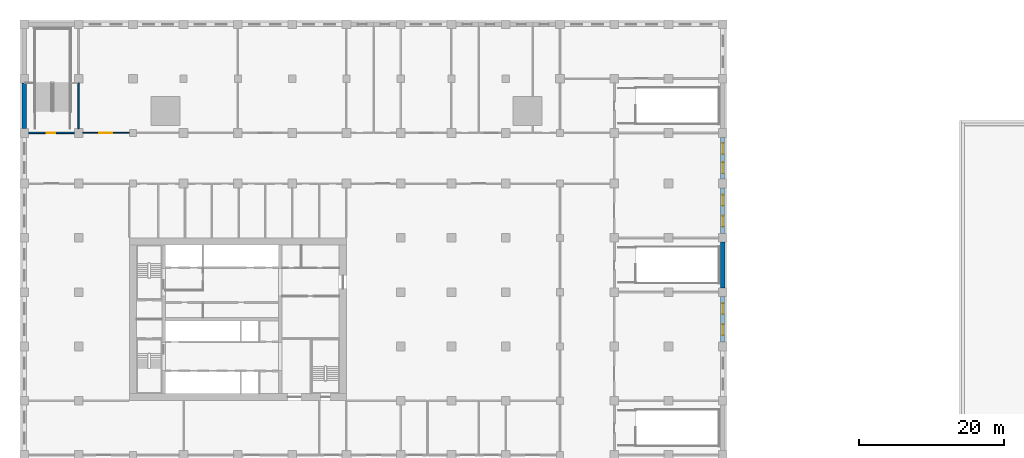
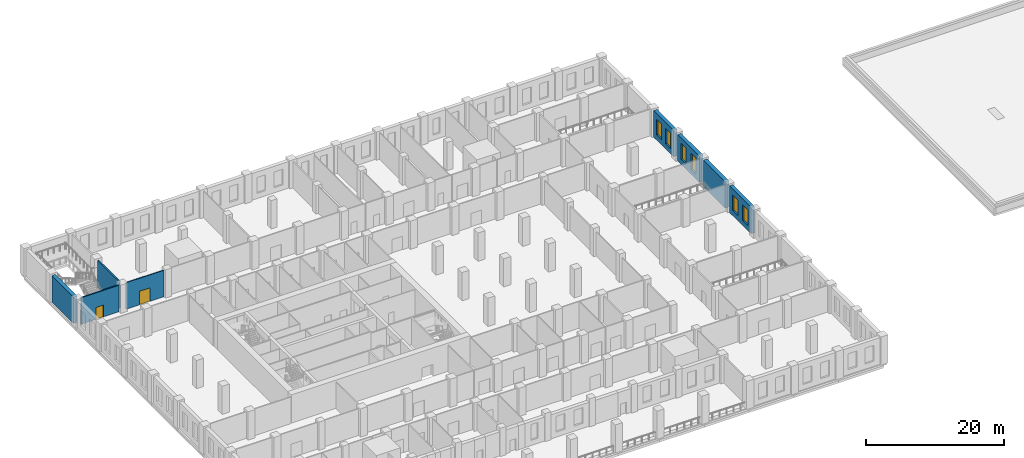
# One storey, part 9 of 22: 8 walls, 6 windows, 2 doors, 8 openings.
"""IFC4 building model written with IfcOpenShell, lengths in metres."""

from ifc_helpers import new_model, si_unit, direction, frame, frame_2d, origin, place, context, subcontext, project, spatial, rectangle, extrude, material, layer, layer_set, type_object, element, fill, save


model = new_model("IFC4")

# Units and contexts
model_context = context("Model", 3, precision=1e-05, world=origin(), true_north=direction((0.0, 1.0)))
body_context = subcontext(model_context, "Body", "Model", "MODEL_VIEW")
ifc_project = project(units=[si_unit("LENGTHUNIT", "METRE"), si_unit("AREAUNIT", "SQUARE_METRE"), si_unit("VOLUMEUNIT", "CUBIC_METRE"), si_unit("PLANEANGLEUNIT", "RADIAN"), si_unit("MASSUNIT", "GRAM", prefix="KILO")], contexts=[model_context])

# Site, building, storey
site_placement = place(None, origin())
site = spatial("IfcSite", under=ifc_project, at=site_placement, CompositionType="ELEMENT")
building_placement = place(site_placement, origin())
building = spatial("IfcBuilding", under=site, at=building_placement, Name="Tamorin Gate", CompositionType="ELEMENT")
storey_placement = place(building_placement, frame((0.0, 0.0, 29.0)))
storey = spatial("IfcBuildingStorey", under=building, at=storey_placement, Name="L05", CompositionType="ELEMENT", Elevation=29.0)

# Wall, opening, door
ifc_material_1 = material(Name="Concrete masonry C20/25", Category="masonry")
ifc_layer_1 = layer(ifc_material_1, 0.14990234375)
ifc_layer_set_1 = layer_set([ifc_layer_1], Name="Partition 150")
wall_type_1 = type_object("IfcWallType", Name="Partition 150", PredefinedType="PARTITIONING", material=ifc_layer_set_1)
wall_1_placement = place(storey_placement, frame((30.0, 97.0, 0.0), z_axis=(0.0, 0.0, 1.0), x_axis=(-1.0, 0.0, 0.0)))
wall_1 = element("IfcWall", 1, at=wall_1_placement, inside=storey, type_object=wall_type_1, Name="Partition 150 L05", PredefinedType="PARTITIONING", context=body_context, shape_type="SweptSolid", body=[
    extrude(rectangle(XDim=6.39990234375, YDim=0.14990234375, at=frame_2d((3.199951171875, 0.0))), origin(), (0.0, 0.0, 1.0), 4.699951171875),
])
opening_1_placement = place(wall_1_placement, frame((2.35009765625, 0.0, 0.0)))
opening_1 = element("IfcOpeningElement", 2, at=opening_1_placement, cuts=wall_1, Name="Opening DP3", PredefinedType="OPENING", context=body_context, shape_type="SweptSolid", body=[
    extrude(rectangle(XDim=1.800048828125, YDim=2.39990234375, at=frame_2d((0.89990234375, 1.199951171875))), frame((0.0, 0.0849609375, 0.0), z_axis=(0.0, -1.0, 0.0), x_axis=(1.0, 0.0, 0.0)), (0.0, 0.0, 1.0), 0.169921875),
])
ifc_material_2 = material(Name="Steel and glass", Category="steel")
door_type_1 = type_object("IfcDoorType", Name="Door pair 1800", OperationType="DOUBLE_DOOR_SINGLE_SWING", PredefinedType="DOOR", material=ifc_material_2)
door_1_placement = place(opening_1_placement, origin())
door_1 = element("IfcDoor", 3, at=door_1_placement, inside=storey, type_object=door_type_1, Name="Door pair 1800 L05", OperationType="SINGLE_SWING_LEFT", OverallHeight=2.39990234375, OverallWidth=1.800048828125, PredefinedType="DOOR", context=body_context, shape_type="SweptSolid", body=[
    extrude(rectangle(XDim=1.800048828125, YDim=2.39990234375, at=frame_2d((0.89990234375, 1.199951171875))), frame((0.0, 0.02490234375, 0.0), z_axis=(0.0, -1.0, 0.0), x_axis=(1.0, 0.0, 0.0)), (0.0, 0.0, 1.0), 0.050048828125),
])
fill(opening_1, door_1)

# Wall
ifc_material_3 = material(Name="Precast concrete C40/50", Category="concrete")
ifc_layer_2 = layer(ifc_material_3, 0.60009765625)
ifc_layer_set_2 = layer_set([ifc_layer_2], Name="Precast concrete C40/50")
wall_type_2 = type_object("IfcWallType", Name="Precast plinth wall 600", PredefinedType="PARTITIONING", material=ifc_layer_set_2)
wall_2_placement = place(storey_placement, frame((15.5, 97.60009765625, 0.0), z_axis=(0.0, 0.0, 1.0), x_axis=(0.0, 1.0, 0.0)))
element("IfcWall", 4, at=wall_2_placement, inside=storey, type_object=wall_type_2, Name="Precast plinth wall 600 L05", PredefinedType="PARTITIONING", context=body_context, shape_type="SweptSolid", body=[
    extrude(rectangle(XDim=6.2998046875, YDim=0.60009765625, at=frame_2d((3.14990234375, 0.0))), origin(), (0.0, 0.0, 1.0), 4.699951171875),
])

# Wall, openings, windows
wall_3_placement = place(storey_placement, frame((112.0, 68.10009765625, 0.0), z_axis=(0.0, 0.0, 1.0), x_axis=(0.0, 1.0, 0.0)))
wall_3 = element("IfcWall", 5, at=wall_3_placement, inside=storey, type_object=wall_type_2, Name="Precast plinth wall 600 L05", PredefinedType="PARTITIONING", context=body_context, shape_type="SweptSolid", body=[
    extrude(rectangle(XDim=6.2998046875, YDim=0.60009765625, at=frame_2d((3.14990234375, 0.0))), origin(), (0.0, 0.0, 1.0), 4.699951171875),
])
opening_2_placement = place(wall_3_placement, frame((0.950927734375, 0.0, 0.89990234375)))
opening_2 = element("IfcOpeningElement", 6, at=opening_2_placement, cuts=wall_3, Name="Opening PWN5", PredefinedType="OPENING", context=body_context, shape_type="SweptSolid", body=[
    extrude(rectangle(XDim=1.5, YDim=2.800048828125, at=frame_2d((0.75, 1.39990234375))), frame((0.0, 0.31005859375, 0.0), z_axis=(0.0, -1.0, 0.0), x_axis=(1.0, 0.0, 0.0)), (0.0, 0.0, 1.0), 0.6201171875),
])
opening_3_placement = place(wall_3_placement, frame((3.84912109375, 0.0, 0.89990234375)))
opening_3 = element("IfcOpeningElement", 7, at=opening_3_placement, cuts=wall_3, Name="Opening PWN5", PredefinedType="OPENING", context=body_context, shape_type="SweptSolid", body=[
    extrude(rectangle(XDim=1.5, YDim=2.800048828125, at=frame_2d((0.75, 1.39990234375))), frame((0.0, 0.31005859375, 0.0), z_axis=(0.0, -1.0, 0.0), x_axis=(1.0, 0.0, 0.0)), (0.0, 0.0, 1.0), 0.6201171875),
])
ifc_material_4 = material(Name="Aluminium and glass", Category="aluminium")
window_type = type_object("IfcWindowType", Name="Plinth window 1500x2800", PartitioningType="DOUBLE_PANEL_VERTICAL", PredefinedType="WINDOW", material=ifc_material_4)
window_1_placement = place(opening_2_placement, origin())
window_1 = element("IfcWindow", 8, at=window_1_placement, inside=storey, type_object=window_type, Name="Plinth window 1500x2800", OverallHeight=2.800048828125, OverallWidth=1.5, PartitioningType="SINGLE_PANEL", PredefinedType="WINDOW", context=body_context, shape_type="SweptSolid", body=[
    extrude(rectangle(XDim=1.5, YDim=2.800048828125, at=frame_2d((0.75, 1.39990234375))), frame((0.0, 0.030029296875, 0.0), z_axis=(0.0, -1.0, 0.0), x_axis=(1.0, 0.0, 0.0)), (0.0, 0.0, 1.0), 0.06005859375),
])
fill(opening_2, window_1)
window_2_placement = place(opening_3_placement, origin())
window_2 = element("IfcWindow", 9, at=window_2_placement, inside=storey, type_object=window_type, Name="Plinth window 1500x2800", OverallHeight=2.800048828125, OverallWidth=1.5, PartitioningType="SINGLE_PANEL", PredefinedType="WINDOW", context=body_context, shape_type="SweptSolid", body=[
    extrude(rectangle(XDim=1.5, YDim=2.800048828125, at=frame_2d((0.75, 1.39990234375))), frame((0.0, 0.030029296875, 0.0), z_axis=(0.0, -1.0, 0.0), x_axis=(1.0, 0.0, 0.0)), (0.0, 0.0, 1.0), 0.06005859375),
])
fill(opening_3, window_2)

# Wall
wall_4_placement = place(storey_placement, frame((112.0, 75.60009765625, 0.0), z_axis=(0.0, 0.0, 1.0), x_axis=(0.0, 1.0, 0.0)))
element("IfcWall", 10, at=wall_4_placement, inside=storey, type_object=wall_type_2, Name="Precast plinth wall 600 L05", PredefinedType="PARTITIONING", context=body_context, shape_type="SweptSolid", body=[
    extrude(rectangle(XDim=6.2998046875, YDim=0.60009765625, at=frame_2d((3.14990234375, 0.0))), origin(), (0.0, 0.0, 1.0), 4.699951171875),
])

# Wall, openings, windows
wall_5_placement = place(storey_placement, frame((112.0, 83.10009765625, 0.0), z_axis=(0.0, 0.0, 1.0), x_axis=(0.0, 1.0, 0.0)))
wall_5 = element("IfcWall", 11, at=wall_5_placement, inside=storey, type_object=wall_type_2, Name="Precast plinth wall 600 L05", PredefinedType="PARTITIONING", context=body_context, shape_type="SweptSolid", body=[
    extrude(rectangle(XDim=6.2998046875, YDim=0.60009765625, at=frame_2d((3.14990234375, 0.0))), origin(), (0.0, 0.0, 1.0), 4.699951171875),
])
opening_4_placement = place(wall_5_placement, frame((0.950927734375, 0.0, 0.89990234375)))
opening_4 = element("IfcOpeningElement", 12, at=opening_4_placement, cuts=wall_5, Name="Opening PWN5", PredefinedType="OPENING", context=body_context, shape_type="SweptSolid", body=[
    extrude(rectangle(XDim=1.5, YDim=2.800048828125, at=frame_2d((0.75, 1.39990234375))), frame((0.0, 0.31005859375, 0.0), z_axis=(0.0, -1.0, 0.0), x_axis=(1.0, 0.0, 0.0)), (0.0, 0.0, 1.0), 0.6201171875),
])
opening_5_placement = place(wall_5_placement, frame((3.84912109375, 0.0, 0.89990234375)))
opening_5 = element("IfcOpeningElement", 13, at=opening_5_placement, cuts=wall_5, Name="Opening PWN5", PredefinedType="OPENING", context=body_context, shape_type="SweptSolid", body=[
    extrude(rectangle(XDim=1.5, YDim=2.800048828125, at=frame_2d((0.75, 1.39990234375))), frame((0.0, 0.31005859375, 0.0), z_axis=(0.0, -1.0, 0.0), x_axis=(1.0, 0.0, 0.0)), (0.0, 0.0, 1.0), 0.6201171875),
])
window_3_placement = place(opening_4_placement, origin())
window_3 = element("IfcWindow", 14, at=window_3_placement, inside=storey, type_object=window_type, Name="Plinth window 1500x2800", OverallHeight=2.800048828125, OverallWidth=1.5, PartitioningType="SINGLE_PANEL", PredefinedType="WINDOW", context=body_context, shape_type="SweptSolid", body=[
    extrude(rectangle(XDim=1.5, YDim=2.800048828125, at=frame_2d((0.75, 1.39990234375))), frame((0.0, 0.030029296875, 0.0), z_axis=(0.0, -1.0, 0.0), x_axis=(1.0, 0.0, 0.0)), (0.0, 0.0, 1.0), 0.06005859375),
])
fill(opening_4, window_3)
window_4_placement = place(opening_5_placement, origin())
window_4 = element("IfcWindow", 15, at=window_4_placement, inside=storey, type_object=window_type, Name="Plinth window 1500x2800", OverallHeight=2.800048828125, OverallWidth=1.5, PartitioningType="SINGLE_PANEL", PredefinedType="WINDOW", context=body_context, shape_type="SweptSolid", body=[
    extrude(rectangle(XDim=1.5, YDim=2.800048828125, at=frame_2d((0.75, 1.39990234375))), frame((0.0, 0.030029296875, 0.0), z_axis=(0.0, -1.0, 0.0), x_axis=(1.0, 0.0, 0.0)), (0.0, 0.0, 1.0), 0.06005859375),
])
fill(opening_5, window_4)

wall_6_placement = place(storey_placement, frame((112.0, 90.60009765625, 0.0), z_axis=(0.0, 0.0, 1.0), x_axis=(0.0, 1.0, 0.0)))
wall_6 = element("IfcWall", 16, at=wall_6_placement, inside=storey, type_object=wall_type_2, Name="Precast plinth wall 600 L05", PredefinedType="PARTITIONING", context=body_context, shape_type="SweptSolid", body=[
    extrude(rectangle(XDim=5.7998046875, YDim=0.60009765625, at=frame_2d((2.89990234375, 0.0))), origin(), (0.0, 0.0, 1.0), 4.699951171875),
])
opening_6_placement = place(wall_6_placement, frame((0.81591796875, 0.0, 0.89990234375)))
opening_6 = element("IfcOpeningElement", 17, at=opening_6_placement, cuts=wall_6, Name="Opening PWN5", PredefinedType="OPENING", context=body_context, shape_type="SweptSolid", body=[
    extrude(rectangle(XDim=1.5, YDim=2.800048828125, at=frame_2d((0.75, 1.39990234375))), frame((0.0, 0.31005859375, 0.0), z_axis=(0.0, -1.0, 0.0), x_axis=(1.0, 0.0, 0.0)), (0.0, 0.0, 1.0), 0.6201171875),
])
opening_7_placement = place(wall_6_placement, frame((3.48388671875, 0.0, 0.89990234375)))
opening_7 = element("IfcOpeningElement", 18, at=opening_7_placement, cuts=wall_6, Name="Opening PWN5", PredefinedType="OPENING", context=body_context, shape_type="SweptSolid", body=[
    extrude(rectangle(XDim=1.5, YDim=2.800048828125, at=frame_2d((0.75, 1.39990234375))), frame((0.0, 0.31005859375, 0.0), z_axis=(0.0, -1.0, 0.0), x_axis=(1.0, 0.0, 0.0)), (0.0, 0.0, 1.0), 0.6201171875),
])
window_5_placement = place(opening_6_placement, origin())
window_5 = element("IfcWindow", 19, at=window_5_placement, inside=storey, type_object=window_type, Name="Plinth window 1500x2800", OverallHeight=2.800048828125, OverallWidth=1.5, PartitioningType="SINGLE_PANEL", PredefinedType="WINDOW", context=body_context, shape_type="SweptSolid", body=[
    extrude(rectangle(XDim=1.5, YDim=2.800048828125, at=frame_2d((0.75, 1.39990234375))), frame((0.0, 0.030029296875, 0.0), z_axis=(0.0, -1.0, 0.0), x_axis=(1.0, 0.0, 0.0)), (0.0, 0.0, 1.0), 0.06005859375),
])
fill(opening_6, window_5)
window_6_placement = place(opening_7_placement, origin())
window_6 = element("IfcWindow", 20, at=window_6_placement, inside=storey, type_object=window_type, Name="Plinth window 1500x2800", OverallHeight=2.800048828125, OverallWidth=1.5, PartitioningType="SINGLE_PANEL", PredefinedType="WINDOW", context=body_context, shape_type="SweptSolid", body=[
    extrude(rectangle(XDim=1.5, YDim=2.800048828125, at=frame_2d((0.75, 1.39990234375))), frame((0.0, 0.030029296875, 0.0), z_axis=(0.0, -1.0, 0.0), x_axis=(1.0, 0.0, 0.0)), (0.0, 0.0, 1.0), 0.06005859375),
])
fill(opening_7, window_6)

# Wall, opening, door
ifc_material_5 = material(Name="Concrete C40/50", Category="concrete")
ifc_layer_3 = layer(ifc_material_5, 0.199951171875)
ifc_layer_set_3 = layer_set([ifc_layer_3], Name="Stair enclosure 200")
wall_type_3 = type_object("IfcWallType", Name="Stair enclosure 200", PredefinedType="SHEAR", material=ifc_layer_set_3)
wall_7_placement = place(storey_placement, frame((16.10009765625, 97.0, 0.0), z_axis=(0.0, 0.0, 1.0), x_axis=(1.0, 0.0, 0.0)))
wall_7 = element("IfcWall", 21, at=wall_7_placement, inside=storey, type_object=wall_type_3, Name="Stair enclosure 200 L05", PredefinedType="SHEAR", context=body_context, shape_type="SweptSolid", body=[
    extrude(rectangle(XDim=6.2998046875, YDim=0.199951171875, at=frame_2d((3.14990234375, 0.0))), origin(), (0.0, 0.0, 1.0), 4.699951171875),
])
opening_8_placement = place(wall_7_placement, frame((2.5, 0.0, 0.0)))
opening_8 = element("IfcOpeningElement", 22, at=opening_8_placement, cuts=wall_7, Name="Opening DP5", PredefinedType="OPENING", context=body_context, shape_type="SweptSolid", body=[
    extrude(rectangle(XDim=1.199951171875, YDim=2.10009765625, at=frame_2d((0.60009765625, 1.050048828125))), frame((0.0, 0.10986328125, 0.0), z_axis=(0.0, -1.0, 0.0), x_axis=(1.0, 0.0, 0.0)), (0.0, 0.0, 1.0), 0.219970703125),
])
ifc_material_6 = material(Name="Painted steel", Category="steel")
door_type_2 = type_object("IfcDoorType", Name="Stair door 1200", OperationType="SINGLE_SWING_LEFT", PredefinedType="DOOR", material=ifc_material_6)
door_2_placement = place(opening_8_placement, origin())
door_2 = element("IfcDoor", 23, at=door_2_placement, inside=storey, type_object=door_type_2, Name="Stair door 1200 L05", OperationType="SINGLE_SWING_LEFT", OverallHeight=2.10009765625, OverallWidth=1.199951171875, PredefinedType="DOOR", context=body_context, shape_type="SweptSolid", body=[
    extrude(rectangle(XDim=1.199951171875, YDim=2.10009765625, at=frame_2d((0.60009765625, 1.050048828125))), frame((0.0, 0.02490234375, 0.0), z_axis=(0.0, -1.0, 0.0), x_axis=(1.0, 0.0, 0.0)), (0.0, 0.0, 1.0), 0.050048828125),
])
fill(opening_8, door_2)

# Wall
wall_8_placement = place(storey_placement, frame((23.0, 97.60009765625, 0.0), z_axis=(0.0, 0.0, 1.0), x_axis=(0.0, 1.0, 0.0)))
element("IfcWall", 24, at=wall_8_placement, inside=storey, type_object=wall_type_3, Name="Stair enclosure 200 L05", PredefinedType="SHEAR", context=body_context, shape_type="SweptSolid", body=[
    extrude(rectangle(XDim=6.2998046875, YDim=0.199951171875, at=frame_2d((3.14990234375, 0.0))), origin(), (0.0, 0.0, 1.0), 4.699951171875),
])

save(model, "model.ifc")
